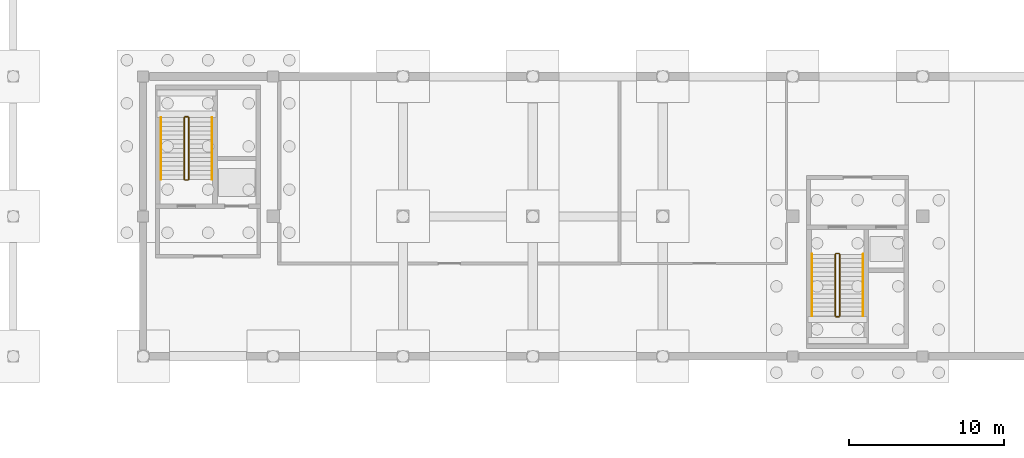
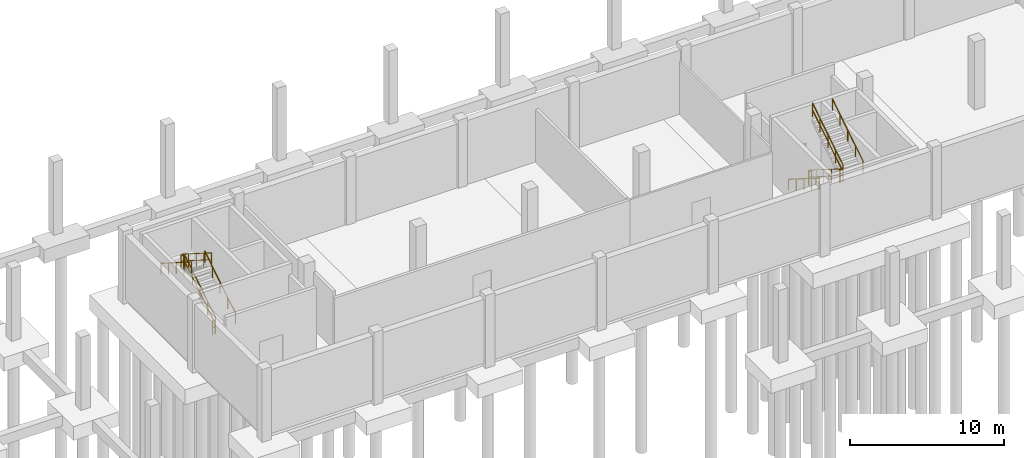
# One storey, part 17 of 18: 12 railings.
"""IFC4 building model written with IfcOpenShell, lengths in metres."""

from ifc_helpers import new_model, si_unit, direction, frame, origin, origin_2d, place, context, subcontext, project, spatial, circle, extrude, material, type_object, element, save


model = new_model("IFC4")

# Units and contexts
model_context = context("Model", 3, precision=1e-05, world=origin(), true_north=direction((0.0, 1.0)))
body_context = subcontext(model_context, "Body", "Model", "MODEL_VIEW")
ifc_project = project(units=[si_unit("LENGTHUNIT", "METRE"), si_unit("AREAUNIT", "SQUARE_METRE"), si_unit("VOLUMEUNIT", "CUBIC_METRE"), si_unit("PLANEANGLEUNIT", "RADIAN"), si_unit("MASSUNIT", "GRAM", prefix="KILO")], contexts=[model_context])

# Site, building, storey
site_placement = place(None, origin())
site = spatial("IfcSite", under=ifc_project, at=site_placement, CompositionType="ELEMENT")
building_placement = place(site_placement, origin())
building = spatial("IfcBuilding", under=site, at=building_placement, Name="Khurvash Pelagic Aquarium", CompositionType="ELEMENT")
storey_placement = place(building_placement, frame((0.0, 0.0, -5.39990234375)))
storey = spatial("IfcBuildingStorey", under=building, at=storey_placement, Name="B1", CompositionType="ELEMENT", Elevation=-5.39990234375)

# Railings
ifc_material_1 = material(Name="Powder-coated galvanised steel S355J2", Category="steel")
railing_type_1 = type_object("IfcRailingType", Name="GR-01", PredefinedType="GUARDRAIL", material=ifc_material_1)
railing_1_placement = place(storey_placement, frame((70.14990234375, 95.5, 0.179931640625)))
element("IfcRailing", 1, at=railing_1_placement, inside=storey, type_object=railing_type_1, Name="B1 ST-04 stair guard 1", PredefinedType="GUARDRAIL", context=body_context, shape_type="SweptSolid", body=[
    extrude(circle(Radius=0.02392578125, at=origin_2d()), frame((0.0, 0.0, 1.076171875), z_axis=(0.0, 0.845486444383, 0.533996884227), x_axis=(-1.0, 0.0, 0.0)), (0.0, 0.0, 1.0), 4.71923828125),
    extrude(circle(Radius=0.02392578125, at=origin_2d()), frame((0.0, 0.0, 0.5380859375), z_axis=(0.0, 0.845486444383, 0.533996884227), x_axis=(-1.0, 0.0, 0.0)), (0.0, 0.0, 1.0), 4.71923828125),
    extrude(circle(Radius=0.02099609375, at=origin_2d()), origin(), (0.0, 0.0, 1.0), 1.052001953125),
    extrude(circle(Radius=0.02099609375, at=origin_2d()), frame((0.0, 0.99755859375, 0.6298828125)), (0.0, 0.0, 1.0), 1.052001953125),
    extrude(circle(Radius=0.02099609375, at=origin_2d()), frame((0.0, 1.9951171875, 1.260009765625)), (0.0, 0.0, 1.0), 1.052001953125),
    extrude(circle(Radius=0.02099609375, at=origin_2d()), frame((0.0, 2.992431640625, 1.89013671875)), (0.0, 0.0, 1.0), 1.052001953125),
    extrude(circle(Radius=0.02099609375, at=origin_2d()), frame((0.0, 3.989990234375, 2.52001953125)), (0.0, 0.0, 1.0), 1.052001953125),
])
railing_2_placement = place(storey_placement, frame((70.10009765625, 99.5400390625, 2.699951171875)))
element("IfcRailing", 2, at=railing_2_placement, inside=storey, type_object=railing_type_1, Name="B1 ST-04 stair guard 2", PredefinedType="GUARDRAIL", context=body_context, shape_type="SweptSolid", body=[
    extrude(circle(Radius=0.02392578125, at=origin_2d()), frame((0.0, 0.0, 1.076171875), z_axis=(-1.0, 0.0, 0.0), x_axis=(0.0, -1.0, 0.0)), (0.0, 0.0, 1.0), 0.2001953125),
    extrude(circle(Radius=0.02392578125, at=origin_2d()), frame((0.0, 0.0, 0.5380859375), z_axis=(-1.0, 0.0, 0.0), x_axis=(0.0, -1.0, 0.0)), (0.0, 0.0, 1.0), 0.2001953125),
    extrude(circle(Radius=0.02099609375, at=origin_2d()), origin(), (0.0, 0.0, 1.0), 1.052001953125),
    extrude(circle(Radius=0.02099609375, at=origin_2d()), frame((-0.2001953125, 0.0, 0.0)), (0.0, 0.0, 1.0), 1.052001953125),
])
railing_3_placement = place(storey_placement, frame((69.85009765625, 99.489990234375, 2.8798828125)))
element("IfcRailing", 3, at=railing_3_placement, inside=storey, type_object=railing_type_1, Name="B1 ST-04 stair guard 3", PredefinedType="GUARDRAIL", context=body_context, shape_type="SweptSolid", body=[
    extrude(circle(Radius=0.02392578125, at=origin_2d()), frame((0.0, 0.0, 1.076171875), z_axis=(0.0, -0.845486444383, 0.533996884227), x_axis=(1.0, 0.0, 0.0)), (0.0, 0.0, 1.0), 4.71923828125),
    extrude(circle(Radius=0.02392578125, at=origin_2d()), frame((0.0, 0.0, 0.5380859375), z_axis=(0.0, -0.845486444383, 0.533996884227), x_axis=(1.0, 0.0, 0.0)), (0.0, 0.0, 1.0), 4.71923828125),
    extrude(circle(Radius=0.02099609375, at=origin_2d()), origin(), (0.0, 0.0, 1.0), 1.052001953125),
    extrude(circle(Radius=0.02099609375, at=origin_2d()), frame((0.0, -0.99755859375, 0.6298828125)), (0.0, 0.0, 1.0), 1.052001953125),
    extrude(circle(Radius=0.02099609375, at=origin_2d()), frame((0.0, -1.9951171875, 1.260009765625)), (0.0, 0.0, 1.0), 1.052001953125),
    extrude(circle(Radius=0.02099609375, at=origin_2d()), frame((0.0, -2.992431640625, 1.89013671875)), (0.0, 0.0, 1.0), 1.052001953125),
    extrude(circle(Radius=0.02099609375, at=origin_2d()), frame((0.0, -3.989990234375, 2.52001953125)), (0.0, 0.0, 1.0), 1.052001953125),
])
railing_4_placement = place(storey_placement, frame((70.10009765625, 95.449951171875, 0.0)))
element("IfcRailing", 4, at=railing_4_placement, inside=storey, type_object=railing_type_1, Name="B1 ST-04 stair guard 4", PredefinedType="GUARDRAIL", context=body_context, shape_type="SweptSolid", body=[
    extrude(circle(Radius=0.02392578125, at=origin_2d()), frame((0.0, 0.0, 1.076171875), z_axis=(-1.0, 0.0, 0.0), x_axis=(0.0, -1.0, 0.0)), (0.0, 0.0, 1.0), 0.2001953125),
    extrude(circle(Radius=0.02392578125, at=origin_2d()), frame((0.0, 0.0, 0.5380859375), z_axis=(-1.0, 0.0, 0.0), x_axis=(0.0, -1.0, 0.0)), (0.0, 0.0, 1.0), 0.2001953125),
    extrude(circle(Radius=0.02099609375, at=origin_2d()), origin(), (0.0, 0.0, 1.0), 1.052001953125),
    extrude(circle(Radius=0.02099609375, at=origin_2d()), frame((-0.2001953125, 0.0, 0.0)), (0.0, 0.0, 1.0), 1.052001953125),
])
railing_5_placement = place(storey_placement, frame((111.949951171875, 90.64990234375, 0.179931640625)))
element("IfcRailing", 5, at=railing_5_placement, inside=storey, type_object=railing_type_1, Name="B1 ST-06 stair guard 1", PredefinedType="GUARDRAIL", context=body_context, shape_type="SweptSolid", body=[
    extrude(circle(Radius=0.02392578125, at=origin_2d()), frame((0.0, 0.0, 1.076171875), z_axis=(0.0, -0.845486444383, 0.533996884227), x_axis=(1.0, 0.0, 0.0)), (0.0, 0.0, 1.0), 4.71923828125),
    extrude(circle(Radius=0.02392578125, at=origin_2d()), frame((0.0, 0.0, 0.5380859375), z_axis=(0.0, -0.845486444383, 0.533996884227), x_axis=(1.0, 0.0, 0.0)), (0.0, 0.0, 1.0), 4.71923828125),
    extrude(circle(Radius=0.02099609375, at=origin_2d()), origin(), (0.0, 0.0, 1.0), 1.052001953125),
    extrude(circle(Radius=0.02099609375, at=origin_2d()), frame((0.0, -0.99755859375, 0.6298828125)), (0.0, 0.0, 1.0), 1.052001953125),
    extrude(circle(Radius=0.02099609375, at=origin_2d()), frame((0.0, -1.9951171875, 1.260009765625)), (0.0, 0.0, 1.0), 1.052001953125),
    extrude(circle(Radius=0.02099609375, at=origin_2d()), frame((0.0, -2.992431640625, 1.89013671875)), (0.0, 0.0, 1.0), 1.052001953125),
    extrude(circle(Radius=0.02099609375, at=origin_2d()), frame((0.0, -3.989990234375, 2.52001953125)), (0.0, 0.0, 1.0), 1.052001953125),
])
railing_6_placement = place(storey_placement, frame((112.0, 86.610107421875, 2.699951171875)))
element("IfcRailing", 6, at=railing_6_placement, inside=storey, type_object=railing_type_1, Name="B1 ST-06 stair guard 2", PredefinedType="GUARDRAIL", context=body_context, shape_type="SweptSolid", body=[
    extrude(circle(Radius=0.02392578125, at=origin_2d()), frame((0.0, 0.0, 1.076171875), z_axis=(1.0, 0.0, 0.0), x_axis=(0.0, 1.0, 0.0)), (0.0, 0.0, 1.0), 0.199951171875),
    extrude(circle(Radius=0.02392578125, at=origin_2d()), frame((0.0, 0.0, 0.5380859375), z_axis=(1.0, 0.0, 0.0), x_axis=(0.0, 1.0, 0.0)), (0.0, 0.0, 1.0), 0.199951171875),
    extrude(circle(Radius=0.02099609375, at=origin_2d()), origin(), (0.0, 0.0, 1.0), 1.052001953125),
    extrude(circle(Radius=0.02099609375, at=origin_2d()), frame((0.199951171875, 0.0, 0.0)), (0.0, 0.0, 1.0), 1.052001953125),
])
railing_7_placement = place(storey_placement, frame((112.25, 86.659912109375, 2.8798828125)))
element("IfcRailing", 7, at=railing_7_placement, inside=storey, type_object=railing_type_1, Name="B1 ST-06 stair guard 3", PredefinedType="GUARDRAIL", context=body_context, shape_type="SweptSolid", body=[
    extrude(circle(Radius=0.02392578125, at=origin_2d()), frame((0.0, 0.0, 1.076171875), z_axis=(0.0, 0.845486444383, 0.533996884227), x_axis=(-1.0, 0.0, 0.0)), (0.0, 0.0, 1.0), 4.71923828125),
    extrude(circle(Radius=0.02392578125, at=origin_2d()), frame((0.0, 0.0, 0.5380859375), z_axis=(0.0, 0.845486444383, 0.533996884227), x_axis=(-1.0, 0.0, 0.0)), (0.0, 0.0, 1.0), 4.71923828125),
    extrude(circle(Radius=0.02099609375, at=origin_2d()), origin(), (0.0, 0.0, 1.0), 1.052001953125),
    extrude(circle(Radius=0.02099609375, at=origin_2d()), frame((0.0, 0.99755859375, 0.6298828125)), (0.0, 0.0, 1.0), 1.052001953125),
    extrude(circle(Radius=0.02099609375, at=origin_2d()), frame((0.0, 1.9951171875, 1.260009765625)), (0.0, 0.0, 1.0), 1.052001953125),
    extrude(circle(Radius=0.02099609375, at=origin_2d()), frame((0.0, 2.992431640625, 1.89013671875)), (0.0, 0.0, 1.0), 1.052001953125),
    extrude(circle(Radius=0.02099609375, at=origin_2d()), frame((0.0, 3.989990234375, 2.52001953125)), (0.0, 0.0, 1.0), 1.052001953125),
])
railing_8_placement = place(storey_placement, frame((112.0, 90.699951171875, 0.0)))
element("IfcRailing", 8, at=railing_8_placement, inside=storey, type_object=railing_type_1, Name="B1 ST-06 stair guard 4", PredefinedType="GUARDRAIL", context=body_context, shape_type="SweptSolid", body=[
    extrude(circle(Radius=0.02392578125, at=origin_2d()), frame((0.0, 0.0, 1.076171875), z_axis=(1.0, 0.0, 0.0), x_axis=(0.0, 1.0, 0.0)), (0.0, 0.0, 1.0), 0.199951171875),
    extrude(circle(Radius=0.02392578125, at=origin_2d()), frame((0.0, 0.0, 0.5380859375), z_axis=(1.0, 0.0, 0.0), x_axis=(0.0, 1.0, 0.0)), (0.0, 0.0, 1.0), 0.199951171875),
    extrude(circle(Radius=0.02099609375, at=origin_2d()), origin(), (0.0, 0.0, 1.0), 1.052001953125),
    extrude(circle(Radius=0.02099609375, at=origin_2d()), frame((0.199951171875, 0.0, 0.0)), (0.0, 0.0, 1.0), 1.052001953125),
])
ifc_material_2 = material(Name="Brushed stainless steel 316", Category="steel")
railing_type_2 = type_object("IfcRailingType", Name="HR-01", PredefinedType="HANDRAIL", material=ifc_material_2)
railing_9_placement = place(storey_placement, frame((71.64990234375, 95.5, 0.179931640625)))
element("IfcRailing", 9, at=railing_9_placement, inside=storey, type_object=railing_type_2, Name="B1 ST-04 stair handrail 1", PredefinedType="HANDRAIL", context=body_context, shape_type="SweptSolid", body=[
    extrude(circle(Radius=0.02392578125, at=origin_2d()), frame((0.0, 0.0, 0.8759765625), z_axis=(0.0, 0.845486444383, 0.533996884227), x_axis=(-1.0, 0.0, 0.0)), (0.0, 0.0, 1.0), 4.71923828125),
    extrude(circle(Radius=0.02099609375, at=origin_2d()), origin(), (0.0, 0.0, 1.0), 0.851806640625),
    extrude(circle(Radius=0.02099609375, at=origin_2d()), frame((0.0, 0.99755859375, 0.6298828125)), (0.0, 0.0, 1.0), 0.851806640625),
    extrude(circle(Radius=0.02099609375, at=origin_2d()), frame((0.0, 1.9951171875, 1.260009765625)), (0.0, 0.0, 1.0), 0.851806640625),
    extrude(circle(Radius=0.02099609375, at=origin_2d()), frame((0.0, 2.992431640625, 1.89013671875)), (0.0, 0.0, 1.0), 0.851806640625),
    extrude(circle(Radius=0.02099609375, at=origin_2d()), frame((0.0, 3.989990234375, 2.52001953125)), (0.0, 0.0, 1.0), 0.851806640625),
])
for number, where, name in (
    (10, (68.35009765625, 99.489990234375, 2.8798828125), "B1 ST-04 stair handrail 2"),
    (11, (110.449951171875, 90.64990234375, 0.179931640625), "B1 ST-06 stair handrail 1"),
):
    element("IfcRailing", number, at=place(storey_placement, frame(where)), inside=storey, type_object=railing_type_2, Name=name, PredefinedType="HANDRAIL", context=body_context, shape_type="SweptSolid", body=[
        extrude(circle(Radius=0.02392578125, at=origin_2d()), frame((0.0, 0.0, 0.8759765625), z_axis=(0.0, -0.845486444383, 0.533996884227), x_axis=(1.0, 0.0, 0.0)), (0.0, 0.0, 1.0), 4.71923828125),
        extrude(circle(Radius=0.02099609375, at=origin_2d()), origin(), (0.0, 0.0, 1.0), 0.851806640625),
        extrude(circle(Radius=0.02099609375, at=origin_2d()), frame((0.0, -0.99755859375, 0.6298828125)), (0.0, 0.0, 1.0), 0.851806640625),
        extrude(circle(Radius=0.02099609375, at=origin_2d()), frame((0.0, -1.9951171875, 1.260009765625)), (0.0, 0.0, 1.0), 0.851806640625),
        extrude(circle(Radius=0.02099609375, at=origin_2d()), frame((0.0, -2.992431640625, 1.89013671875)), (0.0, 0.0, 1.0), 0.851806640625),
        extrude(circle(Radius=0.02099609375, at=origin_2d()), frame((0.0, -3.989990234375, 2.52001953125)), (0.0, 0.0, 1.0), 0.851806640625),
    ])
railing_10_placement = place(storey_placement, frame((113.75, 86.659912109375, 2.8798828125)))
element("IfcRailing", 12, at=railing_10_placement, inside=storey, type_object=railing_type_2, Name="B1 ST-06 stair handrail 2", PredefinedType="HANDRAIL", context=body_context, shape_type="SweptSolid", body=[
    extrude(circle(Radius=0.02392578125, at=origin_2d()), frame((0.0, 0.0, 0.8759765625), z_axis=(0.0, 0.845486444383, 0.533996884227), x_axis=(-1.0, 0.0, 0.0)), (0.0, 0.0, 1.0), 4.71923828125),
    extrude(circle(Radius=0.02099609375, at=origin_2d()), origin(), (0.0, 0.0, 1.0), 0.851806640625),
    extrude(circle(Radius=0.02099609375, at=origin_2d()), frame((0.0, 0.99755859375, 0.6298828125)), (0.0, 0.0, 1.0), 0.851806640625),
    extrude(circle(Radius=0.02099609375, at=origin_2d()), frame((0.0, 1.9951171875, 1.260009765625)), (0.0, 0.0, 1.0), 0.851806640625),
    extrude(circle(Radius=0.02099609375, at=origin_2d()), frame((0.0, 2.992431640625, 1.89013671875)), (0.0, 0.0, 1.0), 0.851806640625),
    extrude(circle(Radius=0.02099609375, at=origin_2d()), frame((0.0, 3.989990234375, 2.52001953125)), (0.0, 0.0, 1.0), 0.851806640625),
])

save(model, "model.ifc")
